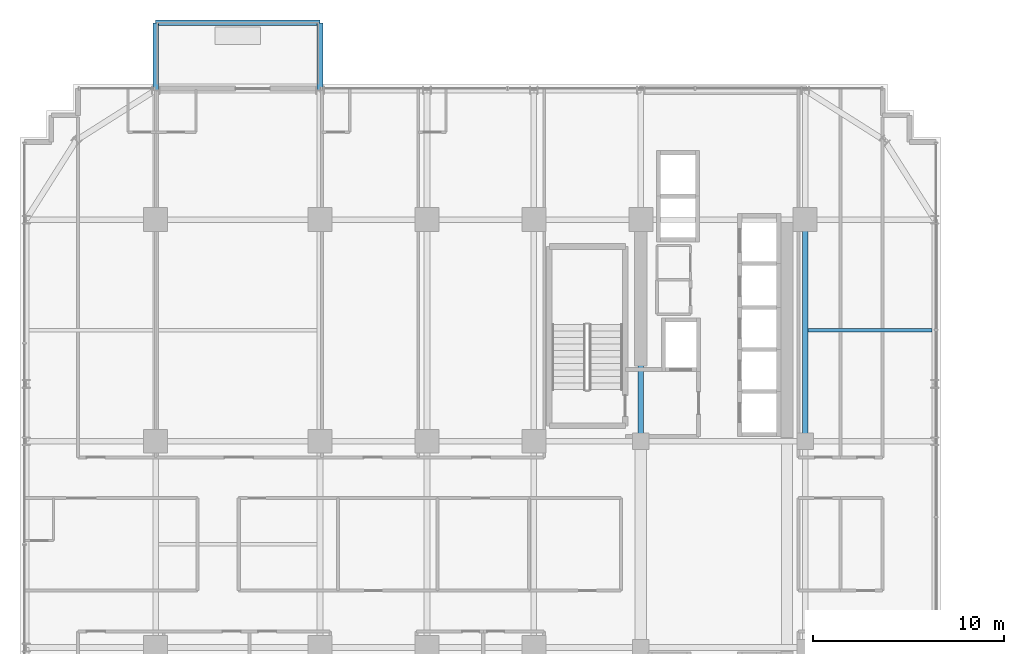
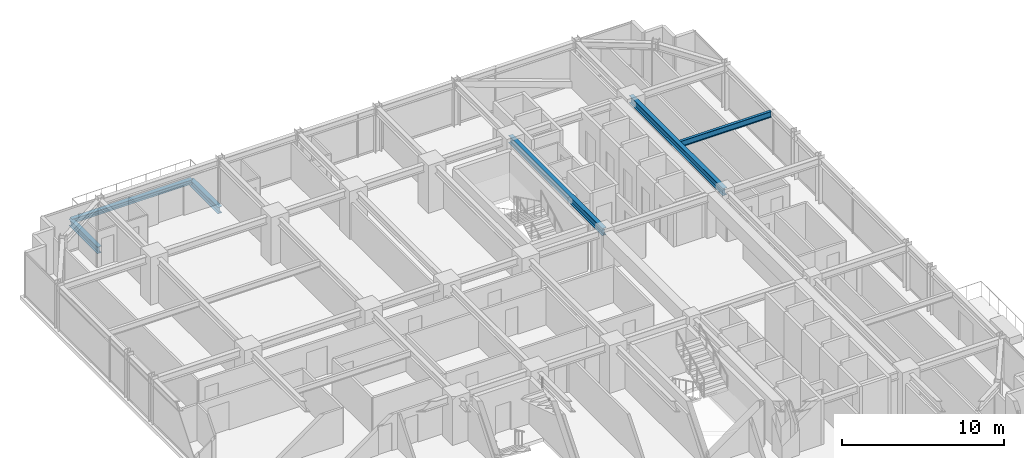
# One storey, part 22 of 34: 6 beams.
"""IFC4 building model written with IfcOpenShell, lengths in metres."""

from ifc_helpers import new_model, si_unit, direction, frame, origin, origin_2d, place, context, subcontext, project, spatial, i_section, extrude, source, transform, mapped, material, material_profile, profile_set, type_object, element, save


model = new_model("IFC4")

# Units and contexts
model_context = context("Model", 3, precision=1e-05, world=origin(), true_north=direction((0.0, 1.0)))
body_context = subcontext(model_context, "Body", "Model", "MODEL_VIEW")
ifc_project = project(units=[si_unit("LENGTHUNIT", "METRE"), si_unit("AREAUNIT", "SQUARE_METRE"), si_unit("VOLUMEUNIT", "CUBIC_METRE"), si_unit("PLANEANGLEUNIT", "RADIAN"), si_unit("MASSUNIT", "GRAM", prefix="KILO")], contexts=[model_context])

# Site, building, storey
site_placement = place(None, origin())
site = spatial("IfcSite", under=ifc_project, at=site_placement, CompositionType="ELEMENT")
building_placement = place(site_placement, origin())
building = spatial("IfcBuilding", under=site, at=building_placement, Name="Nahalor Promenade Grand Hotel", CompositionType="ELEMENT")
storey_placement = place(building_placement, frame((0.0, 0.0, 128.449951171875)))
storey = spatial("IfcBuildingStorey", under=building, at=storey_placement, Name="L32", CompositionType="ELEMENT", Elevation=128.449951171875)

# Beams
ifc_material = material(Name="Steel S355JR", Category="steel")
ifc_material_profile_1 = material_profile(ifc_material, i_section(OverallWidth=0.3, OverallDepth=0.32, WebThickness=0.0115, FlangeThickness=0.0205, at=origin_2d()), Name="HEB 320")
ifc_profile_set_1 = profile_set([ifc_material_profile_1], Name="Steel S355JR")
beam_type_1 = type_object("IfcBeamType", Name="Beam-BalcEdge-HEB320", PredefinedType="SPANDREL", material=ifc_profile_set_1)
shared_shape_1 = source(origin(), body_context, "Body", "SweptSolid", [
    extrude(i_section(OverallWidth=0.3, OverallDepth=0.32, WebThickness=0.0115, FlangeThickness=0.0205, at=origin_2d()), origin(), (0.0, 0.0, 1.0), 8.60009765625),
])
beam_1_placement = place(storey_placement, frame((-17.0, 27.300048828125, -0.43994140625), z_axis=(1.0, 0.0, 0.0), x_axis=(0.0, 1.0, 0.0)))
element("IfcBeam", 1, at=beam_1_placement, inside=storey, type_object=beam_type_1, Name="BM-L32-BC-01-F", PredefinedType="SPANDREL", context=body_context, shape_type="MappedRepresentation", body=[
    mapped(shared_shape_1, transform((0.0, 0.0, 0.0), scale=1.0)),
])
ifc_material_profile_2 = material_profile(ifc_material, i_section(OverallWidth=0.3, OverallDepth=0.5, WebThickness=0.0145, FlangeThickness=0.028, at=origin_2d()), Name="HEB 500")
ifc_profile_set_2 = profile_set([ifc_material_profile_2], Name="Steel S355JR")
beam_type_2 = type_object("IfcBeamType", Name="Beam-Outrigger-HEB500", PredefinedType="BEAM", material=ifc_profile_set_2)
shared_shape_2 = source(origin(), body_context, "Body", "SweptSolid", [
    extrude(i_section(OverallWidth=0.3, OverallDepth=0.5, WebThickness=0.0145, FlangeThickness=0.028, at=origin_2d()), origin(), (0.0, 0.0, 1.0), 3.52001953125),
])
for number, where, z_axis, x_axis, name in (
    (2, (-17.0, 23.780029296875, -0.530029296875), (0.0, 1.0, 0.0), (-1.0, 0.0, 0.0), "BM-L32-BC-01-1"),
    (3, (-8.39990234375, 23.780029296875, -0.530029296875), (0.0, 1.0, 0.0), (-1.0, 0.0, 0.0), "BM-L32-BC-01-2"),
):
    element("IfcBeam", number, at=place(storey_placement, frame(where, z_axis=z_axis, x_axis=x_axis)), inside=storey, type_object=beam_type_2, Name=name, PredefinedType="BEAM", context=body_context, shape_type="MappedRepresentation", body=[
        mapped(shared_shape_2, transform((0.0, 0.0, 0.0), scale=1.0)),
    ])
ifc_material_profile_3 = material_profile(ifc_material, i_section(OverallWidth=0.3, OverallDepth=0.55, WebThickness=0.015, FlangeThickness=0.029, at=origin_2d()), Name="HEB 550")
ifc_profile_set_3 = profile_set([ifc_material_profile_3], Name="Steel S355JR")
beam_type_3 = type_object("IfcBeamType", Name="Beam-Girder-HEB550", PredefinedType="BEAM", material=ifc_profile_set_3)
shared_shape_3 = source(origin(), body_context, "Body", "SweptSolid", [
    extrude(i_section(OverallWidth=0.3, OverallDepth=0.55, WebThickness=0.015, FlangeThickness=0.029, at=origin_2d()), origin(), (0.0, 0.0, 1.0), 11.60009765625),
])
for number, where, z_axis, x_axis, name in (
    (4, (8.39990234375, 5.39990234375, 3.10498046875), (0.0, 1.0, 0.0), (-1.0, 0.0, 0.0), "BM-L32-GY-4-3"),
    (5, (17.0, 5.39990234375, 3.10498046875), (0.0, 1.0, 0.0), (-1.0, 0.0, 0.0), "BM-L32-GY-5-3"),
):
    element("IfcBeam", number, at=place(storey_placement, frame(where, z_axis=z_axis, x_axis=x_axis)), inside=storey, type_object=beam_type_3, Name=name, PredefinedType="BEAM", context=body_context, shape_type="MappedRepresentation", body=[
        mapped(shared_shape_3, transform((0.0, 0.0, 0.0), scale=1.0)),
    ])
ifc_material_profile_4 = material_profile(ifc_material, i_section(OverallWidth=0.19, OverallDepth=0.45, WebThickness=0.0094, FlangeThickness=0.0146, at=origin_2d()), Name="IPE 450")
ifc_profile_set_4 = profile_set([ifc_material_profile_4], Name="Steel S355JR")
beam_type_4 = type_object("IfcBeamType", Name="Beam-Joist-IPE450", PredefinedType="JOIST", material=ifc_profile_set_4)
shared_shape_4 = source(origin(), body_context, "Body", "SweptSolid", [
    extrude(i_section(OverallWidth=0.19, OverallDepth=0.45, WebThickness=0.0094, FlangeThickness=0.0146, at=origin_2d()), origin(), (0.0, 0.0, 1.0), 6.47998046875),
])
beam_2_placement = place(storey_placement, frame((17.14990234375, 11.199951171875, 3.155029296875), z_axis=(1.0, 0.0, 0.0), x_axis=(0.0, 1.0, 0.0)))
element("IfcBeam", 6, at=beam_2_placement, inside=storey, type_object=beam_type_4, Name="BM-L32-JSE-1-2", PredefinedType="JOIST", context=body_context, shape_type="MappedRepresentation", body=[
    mapped(shared_shape_4, transform((0.0, 0.0, 0.0), scale=1.0)),
])

save(model, "model.ifc")
